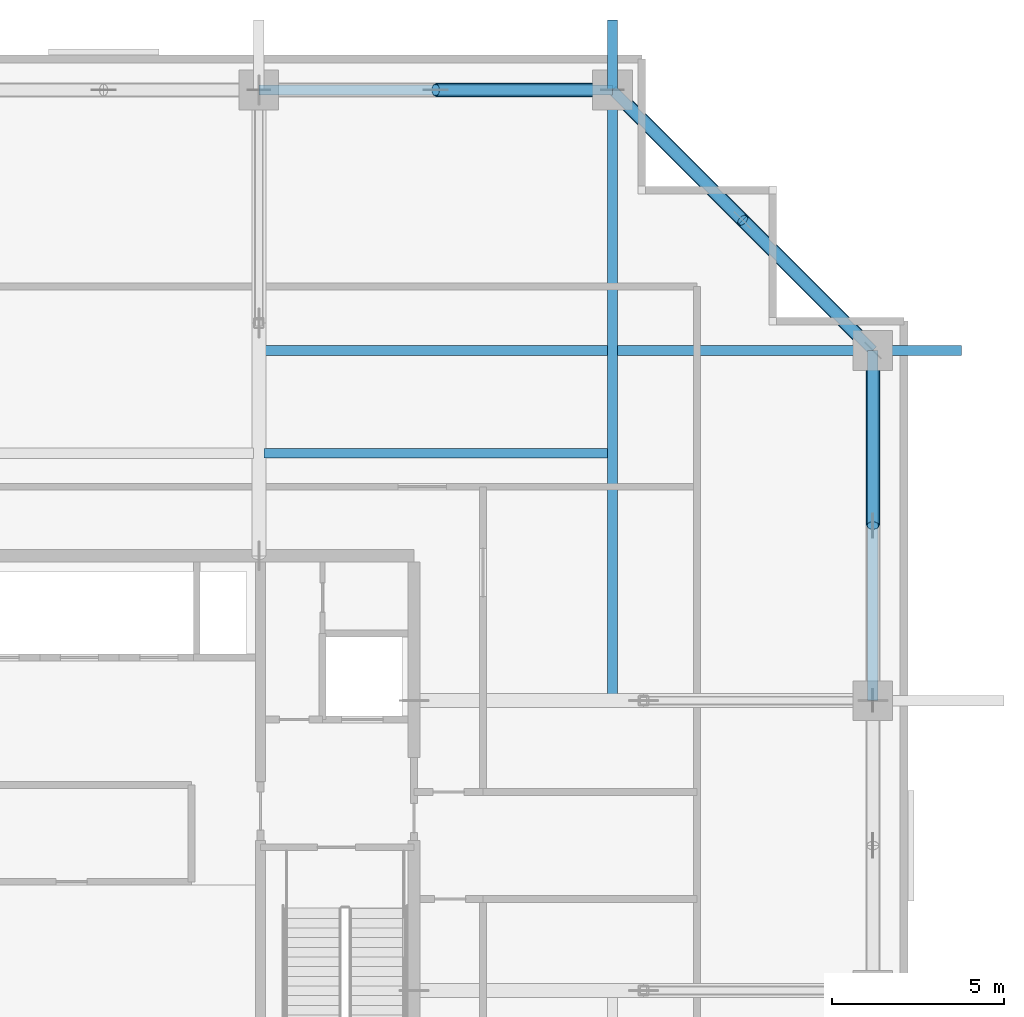
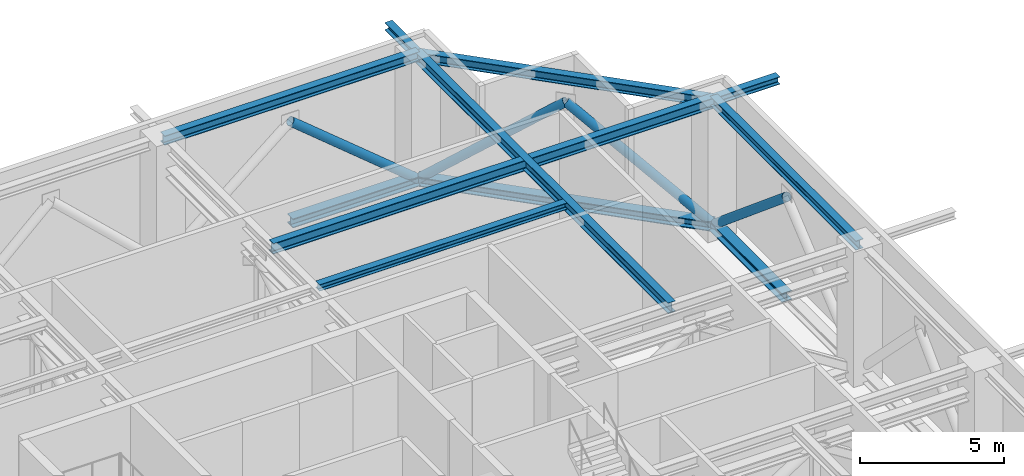
# One storey, part 6 of 22: 8 beams, 8 members.
"""IFC4 building model written with IfcOpenShell, lengths in metres."""

from ifc_helpers import new_model, si_unit, direction, frame, origin, origin_2d, place, context, subcontext, project, spatial, hollow_circle, i_section, extrude, source, transform, mapped, material, material_profile, profile_set, type_object, element, save


model = new_model("IFC4")

# Units and contexts
model_context = context("Model", 3, precision=1e-05, world=origin(), true_north=direction((0.0, 1.0)))
body_context = subcontext(model_context, "Body", "Model", "MODEL_VIEW")
ifc_project = project(units=[si_unit("LENGTHUNIT", "METRE"), si_unit("AREAUNIT", "SQUARE_METRE"), si_unit("VOLUMEUNIT", "CUBIC_METRE"), si_unit("PLANEANGLEUNIT", "RADIAN"), si_unit("MASSUNIT", "GRAM", prefix="KILO")], contexts=[model_context])

# Site, building, storey
site_placement = place(None, origin())
site = spatial("IfcSite", under=ifc_project, at=site_placement, CompositionType="ELEMENT")
building_placement = place(site_placement, origin())
building = spatial("IfcBuilding", under=site, at=building_placement, Name="Serunith Strait Residences", CompositionType="ELEMENT")
storey_placement = place(building_placement, frame((0.0, 0.0, 287.449951171875)))
storey = spatial("IfcBuildingStorey", under=building, at=storey_placement, Name="L72", CompositionType="ELEMENT", Elevation=287.449951171875)

# Beams
ifc_material_1 = material(Name="Steel S355J2", Category="steel")
ifc_material_profile_1 = material_profile(ifc_material_1, i_section(OverallWidth=0.280029296875, OverallDepth=0.280029296875, WebThickness=0.010498046875, FlangeThickness=0.01806640625, FilletRadius=0.02392578125, at=origin_2d()), Name="HEB 280")
ifc_profile_set_1 = profile_set([ifc_material_profile_1], Name="Steel S355J2")
beam_type_1 = type_object("IfcBeamType", Name="BM-HEB280", PredefinedType="JOIST", material=ifc_profile_set_1)
shared_shape_1 = source(origin(), body_context, "Body", "SweptSolid", [
    extrude(i_section(OverallWidth=0.280029296875, OverallDepth=0.280029296875, WebThickness=0.010498046875, FlangeThickness=0.01806640625, FilletRadius=0.02392578125, at=origin_2d()), origin(), (0.0, 0.0, 1.0), 9.949951171875),
])
beam_1_placement = place(storey_placement, frame((37.050048828125, 36.574951171875, 5.59716796875), z_axis=(1.0, 0.0, 0.0), x_axis=(0.0, 1.0, 0.0)))
element("IfcBeam", 1, at=beam_1_placement, inside=storey, type_object=beam_type_1, Name="L72 Composite Floor Joist 06", PredefinedType="JOIST", context=body_context, shape_type="MappedRepresentation", body=[
    mapped(shared_shape_1, transform((0.0, 0.0, 0.0), scale=1.0)),
])
ifc_material_profile_2 = material_profile(ifc_material_1, i_section(OverallWidth=0.300048828125, OverallDepth=0.449951171875, WebThickness=0.013916015625, FlangeThickness=0.02587890625, FilletRadius=0.027099609375, at=origin_2d()), Name="HEB 450")
ifc_profile_set_2 = profile_set([ifc_material_profile_2], Name="Steel S355J2")
beam_type_2 = type_object("IfcBeamType", Name="BM-HEB450", PredefinedType="BEAM", material=ifc_profile_set_2)
shared_shape_2 = source(origin(), body_context, "Body", "SweptSolid", [
    extrude(i_section(OverallWidth=0.300048828125, OverallDepth=0.449951171875, WebThickness=0.013916015625, FlangeThickness=0.02587890625, FilletRadius=0.027099609375, at=origin_2d()), origin(), (0.0, 0.0, 1.0), 17.7001953125),
])
beam_2_placement = place(storey_placement, frame((47.14990234375, 29.39990234375, 5.511962890625), z_axis=(0.0, 1.0, 0.0), x_axis=(-1.0, 0.0, 0.0)))
element("IfcBeam", 2, at=beam_2_placement, inside=storey, type_object=beam_type_2, Name="L72 Orthogonal Corner Girder TC-N4", PredefinedType="BEAM", context=body_context, shape_type="MappedRepresentation", body=[
    mapped(shared_shape_2, transform((0.0, 0.0, 0.0), scale=1.0)),
])
shared_shape_3 = source(origin(), body_context, "Body", "SweptSolid", [
    extrude(i_section(OverallWidth=0.300048828125, OverallDepth=0.449951171875, WebThickness=0.013916015625, FlangeThickness=0.02587890625, FilletRadius=0.027099609375, at=origin_2d()), origin(), (0.0, 0.0, 1.0), 17.800048828125),
])
beam_3_placement = place(storey_placement, frame((36.89990234375, 39.550048828125, 5.511962890625), z_axis=(1.0, 0.0, 0.0), x_axis=(0.0, 1.0, 0.0)))
element("IfcBeam", 3, at=beam_3_placement, inside=storey, type_object=beam_type_2, Name="L72 Orthogonal Corner Girder TC-E4", PredefinedType="BEAM", context=body_context, shape_type="MappedRepresentation", body=[
    mapped(shared_shape_3, transform((0.0, 0.0, 0.0), scale=1.0)),
])
ifc_material_profile_3 = material_profile(ifc_material_1, i_section(OverallWidth=0.300048828125, OverallDepth=0.39990234375, WebThickness=0.013427734375, FlangeThickness=0.02392578125, FilletRadius=0.027099609375, at=origin_2d()), Name="HEB 400")
ifc_profile_set_3 = profile_set([ifc_material_profile_3], Name="Steel S355J2")
beam_type_3 = type_object("IfcBeamType", Name="BM-HEB400", PredefinedType="BEAM", material=ifc_profile_set_3)
shared_shape_4 = source(origin(), body_context, "Body", "SweptSolid", [
    extrude(i_section(OverallWidth=0.300048828125, OverallDepth=0.39990234375, WebThickness=0.013427734375, FlangeThickness=0.02392578125, FilletRadius=0.027099609375, at=origin_2d()), origin(), (0.0, 0.0, 1.0), 10.25),
])
beam_4_placement = place(storey_placement, frame((47.14990234375, 47.10009765625, 5.537109375), z_axis=(-1.0, 0.0, 0.0), x_axis=(0.0, -1.0, 0.0)))
element("IfcBeam", 4, at=beam_4_placement, inside=storey, type_object=beam_type_3, Name="L72 Perimeter Ring Beam 09", PredefinedType="BEAM", context=body_context, shape_type="MappedRepresentation", body=[
    mapped(shared_shape_4, transform((0.0, 0.0, 0.0), scale=1.0)),
])
shared_shape_5 = source(origin(), body_context, "Body", "SweptSolid", [
    extrude(i_section(OverallWidth=0.300048828125, OverallDepth=0.39990234375, WebThickness=0.013427734375, FlangeThickness=0.02392578125, FilletRadius=0.027099609375, at=origin_2d()), origin(), (0.0, 0.0, 1.0), 10.677490234375),
])
beam_5_placement = place(storey_placement, frame((54.699951171875, 39.550048828125, 5.507080078125), z_axis=(-0.707106781187, 0.707106781187, 0.0), x_axis=(-0.707106781187, -0.707106781187, 0.0)))
element("IfcBeam", 5, at=beam_5_placement, inside=storey, type_object=beam_type_3, Name="L72 Perimeter Ring Beam 08", PredefinedType="BEAM", context=body_context, shape_type="MappedRepresentation", body=[
    mapped(shared_shape_5, transform((0.0, 0.0, 0.0), scale=1.0)),
])
shared_shape_6 = source(origin(), body_context, "Body", "SweptSolid", [
    extrude(i_section(OverallWidth=0.300048828125, OverallDepth=0.39990234375, WebThickness=0.013427734375, FlangeThickness=0.02392578125, FilletRadius=0.027099609375, at=origin_2d()), origin(), (0.0, 0.0, 1.0), 10.150146484375),
])
beam_6_placement = place(storey_placement, frame((54.699951171875, 29.39990234375, 5.537109375), z_axis=(0.0, 1.0, 0.0), x_axis=(-1.0, 0.0, 0.0)))
element("IfcBeam", 6, at=beam_6_placement, inside=storey, type_object=beam_type_3, Name="L72 Perimeter Ring Beam 07", PredefinedType="BEAM", context=body_context, shape_type="MappedRepresentation", body=[
    mapped(shared_shape_6, transform((0.0, 0.0, 0.0), scale=1.0)),
])
ifc_material_profile_4 = material_profile(ifc_material_1, i_section(OverallWidth=0.300048828125, OverallDepth=0.320068359375, WebThickness=0.011474609375, FlangeThickness=0.0205078125, FilletRadius=0.027099609375, at=origin_2d()), Name="HEB 320")
ifc_profile_set_4 = profile_set([ifc_material_profile_4], Name="Steel S355J2")
beam_type_4 = type_object("IfcBeamType", Name="BM-HEB320", PredefinedType="BEAM", material=ifc_profile_set_4)
shared_shape_7 = source(origin(), body_context, "Body", "SweptSolid", [
    extrude(i_section(OverallWidth=0.300048828125, OverallDepth=0.320068359375, WebThickness=0.011474609375, FlangeThickness=0.0205078125, FilletRadius=0.027099609375, at=origin_2d()), origin(), (0.0, 0.0, 1.0), 2.02978515625),
])
beam_7_placement = place(storey_placement, frame((47.14990234375, 47.10009765625, 5.547119140625), z_axis=(0.0, 1.0, 0.0), x_axis=(-1.0, 0.0, 0.0)))
element("IfcBeam", 7, at=beam_7_placement, inside=storey, type_object=beam_type_4, Name="L73 Cantilevered Balcony Rib TC-N4", PredefinedType="BEAM", context=body_context, shape_type="MappedRepresentation", body=[
    mapped(shared_shape_7, transform((0.0, 0.0, 0.0), scale=1.0)),
])
shared_shape_8 = source(origin(), body_context, "Body", "SweptSolid", [
    extrude(i_section(OverallWidth=0.300048828125, OverallDepth=0.320068359375, WebThickness=0.011474609375, FlangeThickness=0.0205078125, FilletRadius=0.027099609375, at=origin_2d()), origin(), (0.0, 0.0, 1.0), 2.5732421875),
])
beam_8_placement = place(storey_placement, frame((54.699951171875, 39.550048828125, 5.547119140625), z_axis=(1.0, 0.0, 0.0), x_axis=(0.0, 1.0, 0.0)))
element("IfcBeam", 8, at=beam_8_placement, inside=storey, type_object=beam_type_4, Name="L73 Cantilevered Balcony Rib TC-E4", PredefinedType="BEAM", context=body_context, shape_type="MappedRepresentation", body=[
    mapped(shared_shape_8, transform((0.0, 0.0, 0.0), scale=1.0)),
])

# Members
ifc_material_2 = material(Name="Steel S460M", Category="steel")
ifc_material_profile_5 = material_profile(ifc_material_2, i_section(OverallWidth=0.39794921875, OverallDepth=0.386962890625, WebThickness=0.02099609375, FlangeThickness=0.033203125, FilletRadius=0.014892578125, at=origin_2d()), Name="HD 400x262")
ifc_profile_set_5 = profile_set([ifc_material_profile_5], Name="Steel S460M")
member_type_1 = type_object("IfcMemberType", Name="MBR-CHORD-HD262", PredefinedType="CHORD", material=ifc_profile_set_5)
shared_shape_9 = source(origin(), body_context, "Body", "SweptSolid", [
    extrude(i_section(OverallWidth=0.39794921875, OverallDepth=0.386962890625, WebThickness=0.02099609375, FlangeThickness=0.033203125, FilletRadius=0.014892578125, at=origin_2d()), origin(), (0.0, 0.0, 1.0), 5.125),
])
member_1_placement = place(storey_placement, frame((47.14990234375, 47.10009765625, 0.25), z_axis=(-1.0, 0.0, 0.0), x_axis=(0.0, -1.0, 0.0)))
element("IfcMember", 9, at=member_1_placement, inside=storey, type_object=member_type_1, Name="L72 Belt Truss Bay 09 Chord A", PredefinedType="CHORD", context=body_context, shape_type="MappedRepresentation", body=[
    mapped(shared_shape_9, transform((0.0, 0.0, 0.0), scale=1.0)),
])
ifc_material_profile_6 = material_profile(ifc_material_1, hollow_circle(Radius=0.177734375, WallThickness=0.012451171875, at=origin_2d()), Name="CHS 355.6x12.5")
ifc_profile_set_6 = profile_set([ifc_material_profile_6], Name="Steel S355J2")
member_type_2 = type_object("IfcMemberType", Name="MBR-DIAG-CHS355", PredefinedType="BRACE", material=ifc_profile_set_6)
shared_shape_10 = source(origin(), body_context, "Body", "SweptSolid", [
    extrude(hollow_circle(Radius=0.177734375, WallThickness=0.012451171875, at=origin_2d()), origin(), (0.0, 0.0, 1.0), 6.651611328125),
])
member_2_placement = place(storey_placement, frame((47.14990234375, 47.10009765625, 0.25), z_axis=(-0.770496886362, 0.0, 0.63744376074), x_axis=(0.0, -1.0, 0.0)))
element("IfcMember", 10, at=member_2_placement, inside=storey, type_object=member_type_2, Name="L72 Belt Truss Bay 09 Diagonal 1", PredefinedType="BRACE", context=body_context, shape_type="MappedRepresentation", body=[
    mapped(shared_shape_10, transform((0.0, 0.0, 0.0), scale=1.0)),
])
shared_shape_11 = source(origin(), body_context, "Body", "SweptSolid", [
    extrude(i_section(OverallWidth=0.39794921875, OverallDepth=0.386962890625, WebThickness=0.02099609375, FlangeThickness=0.033203125, FilletRadius=0.014892578125, at=origin_2d()), origin(), (0.0, 0.0, 1.0), 5.338623046875),
])
member_3_placement = place(storey_placement, frame((54.699951171875, 39.550048828125, 0.25), z_axis=(-0.707106781187, 0.707106781187, 0.0), x_axis=(-0.707106781187, -0.707106781187, 0.0)))
element("IfcMember", 11, at=member_3_placement, inside=storey, type_object=member_type_1, Name="L72 Belt Truss Bay 08 Chord A", PredefinedType="CHORD", context=body_context, shape_type="MappedRepresentation", body=[
    mapped(shared_shape_11, transform((0.0, 0.0, 0.0), scale=1.0)),
])
shared_shape_12 = source(origin(), body_context, "Body", "SweptSolid", [
    extrude(hollow_circle(Radius=0.177734375, WallThickness=0.012451171875, at=origin_2d()), origin(), (0.0, 0.0, 1.0), 6.817626953125),
])
member_4_placement = place(storey_placement, frame((47.14990234375, 47.10009765625, 0.25), z_axis=(0.55372760362, -0.55372760362, 0.621909544853), x_axis=(0.707106781187, 0.707106781187, 0.0)))
element("IfcMember", 12, at=member_4_placement, inside=storey, type_object=member_type_2, Name="L72 Belt Truss Bay 08 Diagonal 2", PredefinedType="BRACE", context=body_context, shape_type="MappedRepresentation", body=[
    mapped(shared_shape_12, transform((0.0, 0.0, 0.0), scale=1.0)),
])
shared_shape_13 = source(origin(), body_context, "Body", "SweptSolid", [
    extrude(i_section(OverallWidth=0.39794921875, OverallDepth=0.386962890625, WebThickness=0.02099609375, FlangeThickness=0.033203125, FilletRadius=0.014892578125, at=origin_2d()), origin(), (0.0, 0.0, 1.0), 5.074951171875),
])
member_5_placement = place(storey_placement, frame((54.699951171875, 34.47509765625, 0.25), z_axis=(0.0, 1.0, 0.0), x_axis=(-1.0, 0.0, 0.0)))
element("IfcMember", 13, at=member_5_placement, inside=storey, type_object=member_type_1, Name="L72 Belt Truss Bay 07 Chord B", PredefinedType="CHORD", context=body_context, shape_type="MappedRepresentation", body=[
    mapped(shared_shape_13, transform((0.0, 0.0, 0.0), scale=1.0)),
])
shared_shape_14 = source(origin(), body_context, "Body", "SweptSolid", [
    extrude(hollow_circle(Radius=0.177734375, WallThickness=0.012451171875, at=origin_2d()), origin(), (0.0, 0.0, 1.0), 6.613037109375),
])
member_6_placement = place(storey_placement, frame((54.699951171875, 39.550048828125, 0.25), z_axis=(0.0, -0.767412710118, 0.641153439006), x_axis=(1.0, 0.0, 0.0)))
element("IfcMember", 14, at=member_6_placement, inside=storey, type_object=member_type_2, Name="L72 Belt Truss Bay 07 Diagonal 2", PredefinedType="BRACE", context=body_context, shape_type="MappedRepresentation", body=[
    mapped(shared_shape_14, transform((0.0, 0.0, 0.0), scale=1.0)),
])
shared_shape_15 = source(origin(), body_context, "Body", "SweptSolid", [
    extrude(i_section(OverallWidth=0.39794921875, OverallDepth=0.386962890625, WebThickness=0.02099609375, FlangeThickness=0.033203125, FilletRadius=0.014892578125, at=origin_2d()), origin(), (0.0, 0.0, 1.0), 5.3388671875),
])
member_7_placement = place(storey_placement, frame((50.925048828125, 43.324951171875, 0.25), z_axis=(-0.707106781187, 0.707106781187, 0.0), x_axis=(-0.707106781187, -0.707106781187, 0.0)))
element("IfcMember", 15, at=member_7_placement, inside=storey, type_object=member_type_1, Name="L72 Belt Truss Bay 08 Chord B", PredefinedType="CHORD", context=body_context, shape_type="MappedRepresentation", body=[
    mapped(shared_shape_15, transform((0.0, 0.0, 0.0), scale=1.0)),
])
shared_shape_16 = source(origin(), body_context, "Body", "SweptSolid", [
    extrude(hollow_circle(Radius=0.177734375, WallThickness=0.012451171875, at=origin_2d()), origin(), (0.0, 0.0, 1.0), 6.8173828125),
])
member_8_placement = place(storey_placement, frame((54.699951171875, 39.550048828125, 0.25), z_axis=(-0.55371375257, 0.55371375257, 0.621934209085), x_axis=(-0.707106781187, -0.707106781187, 0.0)))
element("IfcMember", 16, at=member_8_placement, inside=storey, type_object=member_type_2, Name="L72 Belt Truss Bay 08 Diagonal 1", PredefinedType="BRACE", context=body_context, shape_type="MappedRepresentation", body=[
    mapped(shared_shape_16, transform((0.0, 0.0, 0.0), scale=1.0)),
])

save(model, "model.ifc")
